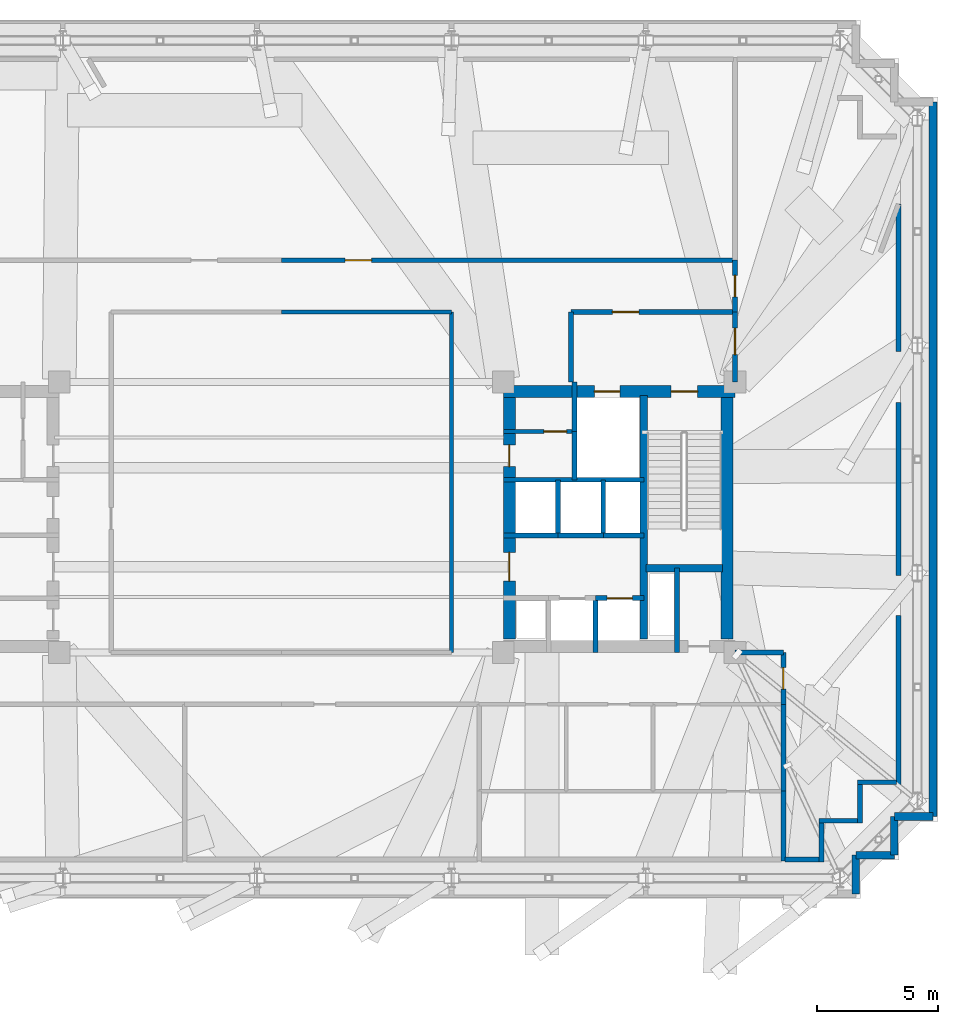
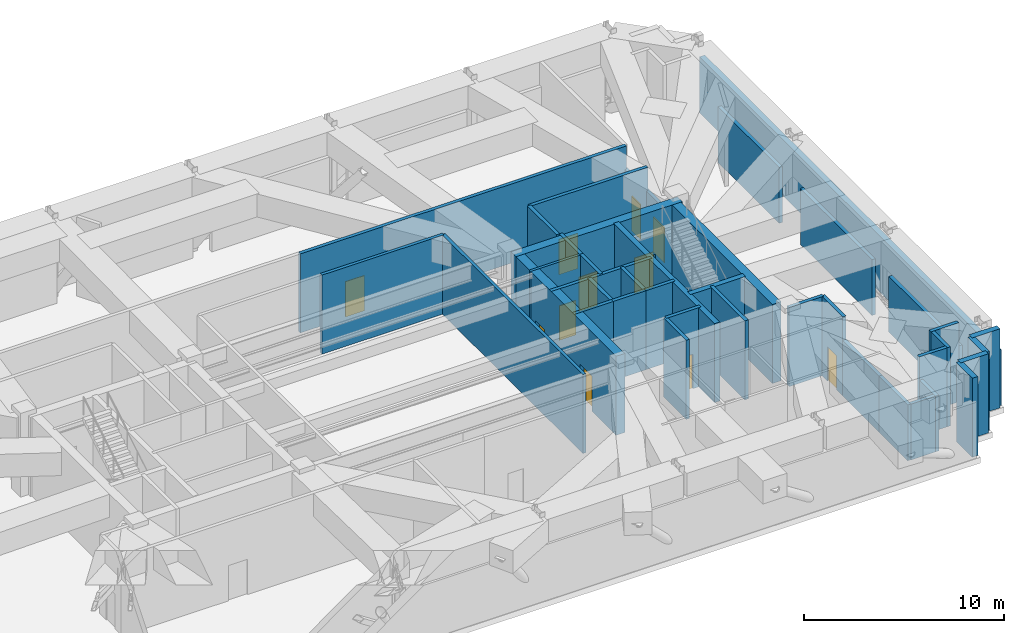
# One storey, part 15 of 18: 41 walls, 11 doors, 11 openings.
"""IFC4 building model written with IfcOpenShell, lengths in metres."""

import ifcopenshell
import ifcopenshell.guid

model = None  # the IFC model being written
_history = None  # IfcOwnerHistory: only IFC2X3 demands one
_inside = {}  # id of a spatial element -> (the spatial element, [elements in it])
_under = {}  # id of a project, library or spatial element -> (it, [spatial elements below it])
_declared = {}  # id of a project -> (the project, [libraries it declares])
_typed = {}  # id of a type object -> (the type object, [elements of that type])
_made_of = {}  # id of a material, layer set ... -> (it, [elements and type objects made of it])


def new_model(schema):
    """Start an empty IFC model of exactly this schema.

    Asked for "IFC4X3", IfcOpenShell would pick the latest addendum, in which some entities
    have other attributes; the version numbers below select the first issue.
    IFC2X3 requires an IfcOwnerHistory on every rooted entity: one is made here for all.
    """
    global model, _history
    if schema == "IFC4X3":
        model = ifcopenshell.file(schema_version=(4, 3, 0, 0))
    else:
        model = ifcopenshell.file(schema=schema)
    _inside.clear()
    _under.clear()
    _declared.clear()
    _typed.clear()
    _made_of.clear()
    _history = None
    if model.schema == "IFC2X3":
        org = make("IfcOrganization", Name="unknown")
        user = make(
            "IfcPersonAndOrganization",
            ThePerson=make("IfcPerson", FamilyName="unknown"),
            TheOrganization=org,
        )
        app = make(
            "IfcApplication",
            ApplicationDeveloper=org,
            Version="unknown",
            ApplicationFullName="unknown",
            ApplicationIdentifier="unknown",
        )
        _history = make(
            "IfcOwnerHistory",
            OwningUser=user,
            OwningApplication=app,
            ChangeAction="ADDED",
            CreationDate=0,
        )
    return model


def make(cls, **values):
    """One entity of the class cls with the attributes given. An attribute that is None is left unset."""
    return model.create_entity(
        cls, **{name: value for name, value in values.items() if value is not None}
    )


def rooted(cls, **values):
    """An entity with a GlobalId (a new one), such as an element, a storey or a relation."""
    return make(cls, GlobalId=ifcopenshell.guid.new(), OwnerHistory=_history, **values)


def si_unit(unit_type, name, prefix=None):
    """IfcSIUnit, for example si_unit("LENGTHUNIT", "METRE", prefix="MILLI")."""
    return make("IfcSIUnit", UnitType=unit_type, Prefix=prefix, Name=name)


def assignment(units):
    """IfcUnitAssignment: the units of a project."""
    return None if units is None else make("IfcUnitAssignment", Units=units)


def point(xyz):
    """IfcCartesianPoint."""
    return None if xyz is None else make("IfcCartesianPoint", Coordinates=xyz)


def direction(xyz):
    """IfcDirection."""
    return None if xyz is None else make("IfcDirection", DirectionRatios=xyz)


def frame(location, z_axis=None, x_axis=None):
    """IfcAxis2Placement3D, a coordinate frame: its origin and axes. An axis left out is left unset."""
    return make(
        "IfcAxis2Placement3D",
        Location=point(location),
        Axis=direction(z_axis),
        RefDirection=direction(x_axis),
    )


def frame_2d(location, x_axis=None):
    """IfcAxis2Placement2D, a coordinate frame in the plane: its origin and x axis."""
    return make(
        "IfcAxis2Placement2D", Location=point(location), RefDirection=direction(x_axis)
    )


def origin():
    """The frame at (0, 0, 0) with its axes left unset."""
    return frame((0.0, 0.0, 0.0))


def place(relative_to, where):
    """IfcLocalPlacement: puts the frame where relative to a parent placement (None: the world)."""
    return make(
        "IfcLocalPlacement", PlacementRelTo=relative_to, RelativePlacement=where
    )


def context(
    kind, dimensions, precision=None, world=None, true_north=None, identifier=None
):
    """IfcGeometricRepresentationContext, for example the 3D "Model" context."""
    return make(
        "IfcGeometricRepresentationContext",
        ContextIdentifier=identifier,
        ContextType=kind,
        CoordinateSpaceDimension=dimensions,
        Precision=precision,
        WorldCoordinateSystem=world,
        TrueNorth=true_north,
    )


def subcontext(parent, identifier, kind, view, scale=None):
    """IfcGeometricRepresentationSubContext, for example "Body" below "Model"."""
    return make(
        "IfcGeometricRepresentationSubContext",
        ContextIdentifier=identifier,
        ContextType=kind,
        ParentContext=parent,
        TargetScale=scale,
        TargetView=view,
    )


def project(units=None, contexts=None):
    """IfcProject with its units and contexts."""
    return rooted(
        "IfcProject",
        Name="project",
        RepresentationContexts=contexts,
        UnitsInContext=assignment(units),
    )


def spatial(cls, under=None, at=None, **own):
    """A site, building, storey or space (cls), placed at a placement, below another one or the project."""
    s = rooted(cls, ObjectPlacement=at, **own)
    if under is not None:
        _under.setdefault(under.id(), (under, []))[1].append(s)
    return s


def profile(cls, at=None, kind="AREA", **sizes):
    """A parametric profile (cls). Its sizes go by their IFC names, for example OverallWidth=200.0."""
    return make(cls, ProfileType=kind, Position=at, **sizes)


def rectangle(**sizes):
    """IfcRectangleProfileDef."""
    return profile("IfcRectangleProfileDef", **sizes)


def extrude(swept, where, along, depth):
    """IfcExtrudedAreaSolid: the profile swept, set in the frame where, extruded along a direction by depth."""
    return make(
        "IfcExtrudedAreaSolid",
        SweptArea=swept,
        Position=where,
        ExtrudedDirection=direction(along),
        Depth=depth,
    )


def shape(context_of_items, identifier, shape_type, items):
    """IfcShapeRepresentation: the items that make up one representation, for example the "Body"."""
    return make(
        "IfcShapeRepresentation",
        ContextOfItems=context_of_items,
        RepresentationIdentifier=identifier,
        RepresentationType=shape_type,
        Items=items,
    )


def material(Name=None, Category=None):
    """IfcMaterial."""
    return make("IfcMaterial", Name=Name, Category=Category)


def layer(
    of_material, thickness, ventilated=None, Name=None, Category=None, Priority=None
):
    """IfcMaterialLayer: one layer of a wall or slab, of a material (None: an air gap)."""
    return make(
        "IfcMaterialLayer",
        Material=of_material,
        LayerThickness=thickness,
        IsVentilated=ventilated,
        Name=Name,
        Category=Category,
        Priority=Priority,
    )


def layer_set(layers, Name=None):
    """IfcMaterialLayerSet."""
    return make("IfcMaterialLayerSet", MaterialLayers=layers, LayerSetName=Name)


def made_of(thing, what):
    """Note that an element or type object is made of a material, layer set ...; save() writes the relation."""
    if what is not None:
        _made_of.setdefault(what.id(), (what, []))[1].append(thing)
    return thing


def type_object(cls, material=None, **own):
    """A type object (cls), such as IfcWallType, which elements share."""
    return made_of(rooted(cls, **own), material)


def element(
    cls,
    number,
    at=None,
    inside=None,
    cuts=None,
    type_object=None,
    material=None,
    context=None,
    identifier="Body",
    shape_type=None,
    held_by="IfcProductDefinitionShape",
    body=None,
    shapes=None,
    **own,
):
    """One element of the class cls, such as IfcWall. Its Tag is "e" and its number.

    at: its placement. inside: the storey or other place that contains it. cuts: it is an
    opening in that element (IfcRelVoidsElement). A single representation is given by context,
    identifier, shape_type and body (its items); several are given by shapes. held_by: the class
    of the entity that holds the representations. save() writes the other relations.
    """
    e = rooted(cls, Tag="e%d" % number, ObjectPlacement=at, **own)
    if body is not None:
        shapes = [shape(context, identifier, shape_type, body)]
    if shapes is not None:
        e.Representation = make(held_by, Representations=shapes)
    if inside is not None:
        _inside.setdefault(inside.id(), (inside, []))[1].append(e)
    if cuts is not None:
        rooted(
            "IfcRelVoidsElement", RelatingBuildingElement=cuts, RelatedOpeningElement=e
        )
    if type_object is not None:
        _typed.setdefault(type_object.id(), (type_object, []))[1].append(e)
    return made_of(e, material)


def fill(opening, filler):
    """IfcRelFillsElement: the door or window that sits in an opening."""
    return rooted(
        "IfcRelFillsElement",
        RelatingOpeningElement=opening,
        RelatedBuildingElement=filler,
    )


def aggregate(whole, parts):
    """IfcRelAggregates: a whole, such as a stair, and the parts it consists of."""
    return rooted("IfcRelAggregates", RelatingObject=whole, RelatedObjects=parts)


def save(model, path):
    """Write the relations noted so far, then the file.

    IfcRelAggregates (storeys below a building ...), IfcRelContainedInSpatialStructure (elements
    in a storey), IfcRelDefinesByType, IfcRelAssociatesMaterial and IfcRelDeclares: one each for
    every whole, place, type object, material and project.
    """
    for whole, parts in _under.values():
        aggregate(whole, parts)
    for where, things in _inside.values():
        rooted(
            "IfcRelContainedInSpatialStructure",
            RelatedElements=things,
            RelatingStructure=where,
        )
    for kind, things in _typed.values():
        rooted("IfcRelDefinesByType", RelatedObjects=things, RelatingType=kind)
    for what, things in _made_of.values():
        rooted("IfcRelAssociatesMaterial", RelatedObjects=things, RelatingMaterial=what)
    for by, libraries in _declared.values():
        rooted("IfcRelDeclares", RelatingContext=by, RelatedDefinitions=libraries)
    model.write(path)


model = new_model("IFC4")

# Units and contexts
model_context = context("Model", 3, precision=1e-05, world=origin(), true_north=direction((0.0, 1.0)))
body_context = subcontext(model_context, "Body", "Model", "MODEL_VIEW")
ifc_project = project(units=[si_unit("LENGTHUNIT", "METRE"), si_unit("AREAUNIT", "SQUARE_METRE"), si_unit("VOLUMEUNIT", "CUBIC_METRE"), si_unit("PLANEANGLEUNIT", "RADIAN"), si_unit("MASSUNIT", "GRAM", prefix="KILO")], contexts=[model_context])

# Site, building, storey
site_placement = place(None, origin())
site = spatial("IfcSite", under=ifc_project, at=site_placement, CompositionType="ELEMENT")
building_placement = place(site_placement, origin())
building = spatial("IfcBuilding", under=site, at=building_placement, Name="Qobustan Lattice House", CompositionType="ELEMENT")
storey_placement = place(building_placement, frame((0.0, 0.0, 174.550048828125)))
storey = spatial("IfcBuildingStorey", under=building, at=storey_placement, Name="L49", CompositionType="ELEMENT", Elevation=174.550048828125)

# Wall, openings, doors
ifc_material_1 = material(Name="Concrete C50/60", Category="concrete")
ifc_layer_1 = layer(ifc_material_1, 0.5)
ifc_layer_set_1 = layer_set([ifc_layer_1], Name="Concrete C50/60")
wall_type_1 = type_object("IfcWallType", Name="WAL-CORE-500", PredefinedType="SHEAR", material=ifc_layer_set_1)
wall_1_placement = place(storey_placement, frame((9.199951171875, 5.2099609375, 0.0), z_axis=(0.0, 0.0, 1.0), x_axis=(1.0, 0.0, 0.0)))
wall_1 = element("IfcWall", 1, at=wall_1_placement, inside=storey, type_object=wall_type_1, Name="L49 split-core shear wall CE-N", PredefinedType="SHEAR", context=body_context, shape_type="SweptSolid", body=[
    extrude(rectangle(XDim=9.60009765625, YDim=0.5, at=frame_2d((4.800048828125, 0.0))), origin(), (0.0, 0.0, 1.0), 4.820068359375),
])
opening_1_placement = place(wall_1_placement, frame((6.949951171875, 0.0, 0.0)))
opening_1 = element("IfcOpeningElement", 2, at=opening_1_placement, cuts=wall_1, Name="Opening SD-01", PredefinedType="OPENING", context=body_context, shape_type="SweptSolid", body=[
    extrude(rectangle(XDim=1.10009765625, YDim=2.14990234375, at=frame_2d((0.550048828125, 1.074951171875))), frame((0.0, 0.260009765625, 0.0), z_axis=(0.0, -1.0, 0.0), x_axis=(1.0, 0.0, 0.0)), (0.0, 0.0, 1.0), 0.52001953125),
])
opening_2_placement = place(wall_1_placement, frame((3.77490234375, 0.0, 0.0)))
opening_2 = element("IfcOpeningElement", 3, at=opening_2_placement, cuts=wall_1, Name="Opening LD-01", PredefinedType="OPENING", context=body_context, shape_type="SweptSolid", body=[
    extrude(rectangle(XDim=1.050048828125, YDim=2.10009765625, at=frame_2d((0.52490234375, 1.050048828125))), frame((0.0, 0.260009765625, 0.0), z_axis=(0.0, -1.0, 0.0), x_axis=(1.0, 0.0, 0.0)), (0.0, 0.0, 1.0), 0.52001953125),
])
ifc_material_2 = material(Name="Persian walnut timber and steel frame door", Category="steel")
door_type_1 = type_object("IfcDoorType", Name="DOR-LIFT-LD-1050x2100", OperationType="NOTDEFINED", PredefinedType="DOOR", material=ifc_material_2)
door_1_placement = place(opening_2_placement, origin())
door_1 = element("IfcDoor", 4, at=door_1_placement, inside=storey, type_object=door_type_1, Name="L49 firefighting lift FF-E landing door", OperationType="DOUBLE_DOOR_SLIDING", OverallHeight=2.10009765625, OverallWidth=1.050048828125, PredefinedType="DOOR", context=body_context, shape_type="SweptSolid", body=[
    extrude(rectangle(XDim=1.050048828125, YDim=2.10009765625, at=frame_2d((0.52490234375, 1.050048828125))), frame((0.0, 0.02490234375, 0.0), z_axis=(0.0, -1.0, 0.0), x_axis=(1.0, 0.0, 0.0)), (0.0, 0.0, 1.0), 0.050048828125),
])
fill(opening_2, door_1)
ifc_material_3 = material(Name="Persian walnut timber and steel frame door", Category="steel")
door_type_2 = type_object("IfcDoorType", Name="DOR-STAIR-FD-1100x2150", OperationType="NOTDEFINED", PredefinedType="DOOR", material=ifc_material_3)
door_2_placement = place(opening_1_placement, origin())
door_2 = element("IfcDoor", 5, at=door_2_placement, inside=storey, type_object=door_type_2, Name="L49 exit stair ST-E1 fire door", OperationType="SINGLE_SWING_LEFT", OverallHeight=2.14990234375, OverallWidth=1.10009765625, PredefinedType="DOOR", context=body_context, shape_type="SweptSolid", body=[
    extrude(rectangle(XDim=1.10009765625, YDim=2.14990234375, at=frame_2d((0.550048828125, 1.074951171875))), frame((0.0, 0.02490234375, 0.0), z_axis=(0.0, -1.0, 0.0), x_axis=(1.0, 0.0, 0.0)), (0.0, 0.0, 1.0), 0.050048828125),
])
fill(opening_1, door_2)

wall_2_placement = place(storey_placement, frame((9.449951171875, -5.050048828125, 0.0), z_axis=(0.0, 0.0, 1.0), x_axis=(0.0, 1.0, 0.0)))
wall_2 = element("IfcWall", 6, at=wall_2_placement, inside=storey, type_object=wall_type_1, Name="L49 split-core shear wall CE-W", PredefinedType="SHEAR", context=body_context, shape_type="SweptSolid", body=[
    extrude(rectangle(XDim=10.10009765625, YDim=0.5, at=frame_2d((5.050048828125, 0.0))), origin(), (0.0, 0.0, 1.0), 4.820068359375),
])
opening_3_placement = place(wall_2_placement, frame((7.14990234375, 0.0, 0.0)))
opening_3 = element("IfcOpeningElement", 7, at=opening_3_placement, cuts=wall_2, Name="Opening RD-01", PredefinedType="OPENING", context=body_context, shape_type="SweptSolid", body=[
    extrude(rectangle(XDim=0.89990234375, YDim=2.10009765625, at=frame_2d((0.449951171875, 1.050048828125))), frame((0.0, 0.260009765625, 0.0), z_axis=(0.0, -1.0, 0.0), x_axis=(1.0, 0.0, 0.0)), (0.0, 0.0, 1.0), 0.52001953125),
])
opening_4_placement = place(wall_2_placement, frame((2.39990234375, 0.0, 0.0)))
opening_4 = element("IfcOpeningElement", 8, at=opening_4_placement, cuts=wall_2, Name="Opening FD-01", PredefinedType="OPENING", context=body_context, shape_type="SweptSolid", body=[
    extrude(rectangle(XDim=1.199951171875, YDim=2.14990234375, at=frame_2d((0.60009765625, 1.074951171875))), frame((0.0, 0.260009765625, 0.0), z_axis=(0.0, -1.0, 0.0), x_axis=(1.0, 0.0, 0.0)), (0.0, 0.0, 1.0), 0.52001953125),
])
ifc_material_4 = material(Name="Persian walnut timber and steel frame door", Category="steel")
door_type_3 = type_object("IfcDoorType", Name="DOR-LOBBY-FD-1200x2150", OperationType="NOTDEFINED", PredefinedType="DOOR", material=ifc_material_4)
door_3_placement = place(opening_4_placement, origin())
door_3 = element("IfcDoor", 9, at=door_3_placement, inside=storey, type_object=door_type_3, Name="L49 East passenger lift lobby fire door", OperationType="SINGLE_SWING_LEFT", OverallHeight=2.14990234375, OverallWidth=1.199951171875, PredefinedType="DOOR", context=body_context, shape_type="SweptSolid", body=[
    extrude(rectangle(XDim=1.199951171875, YDim=2.14990234375, at=frame_2d((0.60009765625, 1.074951171875))), frame((0.0, 0.02490234375, 0.0), z_axis=(0.0, -1.0, 0.0), x_axis=(1.0, 0.0, 0.0)), (0.0, 0.0, 1.0), 0.050048828125),
])
fill(opening_4, door_3)
ifc_material_5 = material(Name="Persian walnut timber and steel frame door", Category="steel")
door_type_4 = type_object("IfcDoorType", Name="DOR-RISER-FD-900x2100", OperationType="NOTDEFINED", PredefinedType="DOOR", material=ifc_material_5)
door_4_placement = place(opening_3_placement, origin())
door_4 = element("IfcDoor", 10, at=door_4_placement, inside=storey, type_object=door_type_4, Name="L49 Housekeeping utility foyer fire door", OperationType="SINGLE_SWING_RIGHT", OverallHeight=2.10009765625, OverallWidth=0.89990234375, PredefinedType="DOOR", context=body_context, shape_type="SweptSolid", body=[
    extrude(rectangle(XDim=0.89990234375, YDim=2.10009765625, at=frame_2d((0.449951171875, 1.050048828125))), frame((0.0, 0.02490234375, 0.0), z_axis=(0.0, -1.0, 0.0), x_axis=(1.0, 0.0, 0.0)), (0.0, 0.0, 1.0), 0.050048828125),
])
fill(opening_3, door_4)

# Walls
wall_3_placement = place(storey_placement, frame((18.4599609375, -5.050048828125, 0.0), z_axis=(0.0, 0.0, 1.0), x_axis=(0.0, 1.0, 0.0)))
element("IfcWall", 11, at=wall_3_placement, inside=storey, type_object=wall_type_1, Name="L49 split-core shear wall CE-E", PredefinedType="SHEAR", context=body_context, shape_type="SweptSolid", body=[
    extrude(rectangle(XDim=10.10009765625, YDim=0.5, at=frame_2d((5.050048828125, 0.0))), origin(), (0.0, 0.0, 1.0), 4.820068359375),
])
ifc_material_6 = material(Name="Concrete C50/60", Category="concrete")
ifc_layer_2 = layer(ifc_material_6, 0.280029296875)
ifc_layer_set_2 = layer_set([ifc_layer_2], Name="Concrete C50/60")
wall_type_2 = type_object("IfcWallType", Name="WAL-CORE-SPINE-280", PredefinedType="SHEAR", material=ifc_layer_set_2)
wall_4_placement = place(storey_placement, frame((15.02001953125, -5.050048828125, 0.0), z_axis=(0.0, 0.0, 1.0), x_axis=(0.0, 1.0, 0.0)))
element("IfcWall", 12, at=wall_4_placement, inside=storey, type_object=wall_type_2, Name="L49 split-core shear wall CE-M", PredefinedType="SHEAR", context=body_context, shape_type="SweptSolid", body=[
    extrude(rectangle(XDim=10.10009765625, YDim=0.300048828125, at=frame_2d((5.050048828125, 0.0))), origin(), (0.0, 0.0, 1.0), 4.820068359375),
])
wall_5_placement = place(storey_placement, frame((15.10009765625, -2.110107421875, 0.0), z_axis=(0.0, 0.0, 1.0), x_axis=(1.0, 0.0, 0.0)))
element("IfcWall", 13, at=wall_5_placement, inside=storey, type_object=wall_type_2, Name="L49 split-core shear wall CE-ST", PredefinedType="SHEAR", context=body_context, shape_type="SweptSolid", body=[
    extrude(rectangle(XDim=3.179931640625, YDim=0.300048828125, at=frame_2d((1.58984375, 0.0))), origin(), (0.0, 0.0, 1.0), 4.820068359375),
])
ifc_material_7 = material(Name="Precast concrete C40/50", Category="concrete")
ifc_layer_3 = layer(ifc_material_7, 0.320068359375)
ifc_layer_set_3 = layer_set([ifc_layer_3], Name="Precast concrete C40/50")
wall_type_3 = type_object("IfcWallType", Name="WAL-EXT-STONE-320", PredefinedType="SOLIDWALL", material=ifc_layer_set_3)
wall_6_placement = place(storey_placement, frame((27.0, 17.199951171875, 0.0), z_axis=(0.0, 0.0, 1.0), x_axis=(0.0, -1.0, 0.0)))
element("IfcWall", 14, at=wall_6_placement, inside=storey, type_object=wall_type_3, Name="L49 exterior limestone-clad wall 15", PredefinedType="SOLIDWALL", context=body_context, shape_type="SweptSolid", body=[
    extrude(rectangle(XDim=29.599853515625, YDim=0.320068359375, at=frame_2d((14.7998046875, 0.0))), origin(), (0.0, 0.0, 1.0), 3.405029296875),
])
for number, where, z_axis, x_axis, name in (
    (15, (27.0, -12.39990234375, 0.0), (0.0, 0.0, 1.0), (-1.0, 0.0, 0.0), "L49 exterior limestone-clad wall 16"),
    (16, (25.39990234375, -12.39990234375, 0.0), (0.0, 0.0, 1.0), (0.0, -1.0, 0.0), "L49 exterior limestone-clad wall 17"),
):
    element("IfcWall", number, at=place(storey_placement, frame(where, z_axis=z_axis, x_axis=x_axis)), inside=storey, type_object=wall_type_3, Name=name, PredefinedType="SOLIDWALL", context=body_context, shape_type="SweptSolid", body=[
        extrude(rectangle(XDim=1.60009765625, YDim=0.320068359375, at=frame_2d((0.800048828125, 0.0))), origin(), (0.0, 0.0, 1.0), 4.820068359375),
    ])
wall_7_placement = place(storey_placement, frame((25.39990234375, -14.0, 0.0), z_axis=(0.0, 0.0, 1.0), x_axis=(-1.0, 0.0, 0.0)))
element("IfcWall", 17, at=wall_7_placement, inside=storey, type_object=wall_type_3, Name="L49 exterior limestone-clad wall 18", PredefinedType="SOLIDWALL", context=body_context, shape_type="SweptSolid", body=[
    extrude(rectangle(XDim=1.599853515625, YDim=0.320068359375, at=frame_2d((0.7998046875, 0.0))), origin(), (0.0, 0.0, 1.0), 4.820068359375),
])
wall_8_placement = place(storey_placement, frame((23.800048828125, -14.0, 0.0), z_axis=(0.0, 0.0, 1.0), x_axis=(0.0, -1.0, 0.0)))
element("IfcWall", 18, at=wall_8_placement, inside=storey, type_object=wall_type_3, Name="L49 exterior limestone-clad wall 19", PredefinedType="SOLIDWALL", context=body_context, shape_type="SweptSolid", body=[
    extrude(rectangle(XDim=1.60009765625, YDim=0.320068359375, at=frame_2d((0.800048828125, 0.0))), origin(), (0.0, 0.0, 1.0), 4.820068359375),
])
ifc_material_8 = material(Name="Gypsum fireboard acoustic partition", Category="gypsum")
ifc_layer_4 = layer(ifc_material_8, 0.179931640625)
ifc_layer_set_4 = layer_set([ifc_layer_4], Name="Gypsum fireboard acoustic partition")
wall_type_4 = type_object("IfcWallType", Name="WAL-FIRE-180", PredefinedType="PARTITIONING", material=ifc_layer_set_4)
wall_9_placement = place(storey_placement, frame((7.050048828125, 8.5, 0.0), z_axis=(0.0, 0.0, 1.0), x_axis=(-1.0, 0.0, 0.0)))
element("IfcWall", 19, at=wall_9_placement, inside=storey, type_object=wall_type_4, Name="L49 interior partition 39", PredefinedType="PARTITIONING", context=body_context, shape_type="SweptSolid", body=[
    extrude(rectangle(XDim=7.050048828125, YDim=0.179931640625, at=frame_2d((3.52490234375, 0.0))), origin(), (0.0, 0.0, 1.0), 4.820068359375),
])
wall_10_placement = place(storey_placement, frame((7.050048828125, -5.60009765625, 0.0), z_axis=(0.0, 0.0, 1.0), x_axis=(0.0, 1.0, 0.0)))
element("IfcWall", 20, at=wall_10_placement, inside=storey, type_object=wall_type_4, Name="L49 interior partition 53", PredefinedType="PARTITIONING", context=body_context, shape_type="SweptSolid", body=[
    extrude(rectangle(XDim=14.10009765625, YDim=0.179931640625, at=frame_2d((7.050048828125, 0.0))), origin(), (0.0, 0.0, 1.0), 4.820068359375),
])

# Wall, opening, door
ifc_material_9 = material(Name="Acoustic twin-stud gypsum partition", Category="gypsum")
ifc_layer_5 = layer(ifc_material_9, 0.14990234375)
ifc_layer_set_5 = layer_set([ifc_layer_5], Name="Acoustic twin-stud gypsum partition")
wall_type_5 = type_object("IfcWallType", Name="WAL-PART-150", PredefinedType="PARTITIONING", material=ifc_layer_set_5)
wall_11_placement = place(storey_placement, frame((12.14990234375, 3.550048828125, 0.0), z_axis=(0.0, 0.0, 1.0), x_axis=(-1.0, 0.0, 0.0)))
wall_11 = element("IfcWall", 21, at=wall_11_placement, inside=storey, type_object=wall_type_5, Name="L49 interior partition 21", PredefinedType="PARTITIONING", context=body_context, shape_type="SweptSolid", body=[
    extrude(rectangle(XDim=2.949951171875, YDim=0.14990234375, at=frame_2d((1.47509765625, 0.0))), origin(), (0.0, 0.0, 1.0), 4.820068359375),
])
opening_5_placement = place(wall_11_placement, frame((0.324951171875, 0.0, 0.0)))
opening_5 = element("IfcOpeningElement", 22, at=opening_5_placement, cuts=wall_11, Name="Opening ID-01", PredefinedType="OPENING", context=body_context, shape_type="SweptSolid", body=[
    extrude(rectangle(XDim=0.949951171875, YDim=2.10009765625, at=frame_2d((0.47509765625, 1.050048828125))), frame((0.0, 0.0849609375, 0.0), z_axis=(0.0, -1.0, 0.0), x_axis=(1.0, 0.0, 0.0)), (0.0, 0.0, 1.0), 0.169921875),
])
ifc_material_10 = material(Name="Persian walnut timber and steel frame door", Category="steel")
door_type_5 = type_object("IfcDoorType", Name="DOR-ROOM-950x2100", OperationType="NOTDEFINED", PredefinedType="DOOR", material=ifc_material_10)
door_5_placement = place(opening_5_placement, origin())
door_5 = element("IfcDoor", 23, at=door_5_placement, inside=storey, type_object=door_type_5, Name="L49 Housekeeping utility foyer to Cleaner cupboard door", OperationType="SINGLE_SWING_LEFT", OverallHeight=2.10009765625, OverallWidth=0.949951171875, PredefinedType="DOOR", context=body_context, shape_type="SweptSolid", body=[
    extrude(rectangle(XDim=0.949951171875, YDim=2.10009765625, at=frame_2d((0.47509765625, 1.050048828125))), frame((0.0, 0.02490234375, 0.0), z_axis=(0.0, -1.0, 0.0), x_axis=(1.0, 0.0, 0.0)), (0.0, 0.0, 1.0), 0.050048828125),
])
fill(opening_5, door_5)

# Walls
ifc_material_11 = material(Name="Two-hour gypsum fireboard acoustic partition", Category="gypsum")
ifc_layer_6 = layer(ifc_material_11, 0.199951171875)
ifc_layer_set_6 = layer_set([ifc_layer_6], Name="Two-hour gypsum fireboard acoustic partition")
wall_type_6 = type_object("IfcWallType", Name="WAL-PROT-200", PredefinedType="PARTITIONING", material=ifc_layer_set_6)
wall_12_placement = place(storey_placement, frame((25.574951171875, 12.973388671875, 0.0), z_axis=(0.0, 0.0, 1.0), x_axis=(0.0, -1.0, 0.0)))
element("IfcWall", 24, at=wall_12_placement, inside=storey, type_object=wall_type_6, Name="L49 perimeter belt-truss plenum enclosure wall 36", PredefinedType="PARTITIONING", context=body_context, shape_type="SweptSolid", body=[
    extrude(rectangle(XDim=6.115478515625, YDim=0.199951171875, at=frame_2d((3.0576171875, 0.0))), origin(), (0.0, 0.0, 1.0), 3.405029296875),
])
wall_13_placement = place(storey_placement, frame((25.574951171875, 4.7578125, 0.0), z_axis=(0.0, 0.0, 1.0), x_axis=(0.0, -1.0, 0.0)))
element("IfcWall", 25, at=wall_13_placement, inside=storey, type_object=wall_type_6, Name="L49 perimeter belt-truss plenum enclosure wall 37", PredefinedType="PARTITIONING", context=body_context, shape_type="SweptSolid", body=[
    extrude(rectangle(XDim=7.1669921875, YDim=0.199951171875, at=frame_2d((3.58349609375, 0.0))), origin(), (0.0, 0.0, 1.0), 3.405029296875),
])
wall_14_placement = place(storey_placement, frame((25.574951171875, -4.076416015625, 0.0), z_axis=(0.0, 0.0, 1.0), x_axis=(0.0, -1.0, 0.0)))
element("IfcWall", 26, at=wall_14_placement, inside=storey, type_object=wall_type_6, Name="L49 perimeter belt-truss plenum enclosure wall 38", PredefinedType="PARTITIONING", context=body_context, shape_type="SweptSolid", body=[
    extrude(rectangle(XDim=6.99853515625, YDim=0.199951171875, at=frame_2d((3.499267578125, 0.0))), origin(), (0.0, 0.0, 1.0), 3.405029296875),
])
for number, where, z_axis, x_axis, name in (
    (27, (25.487060546875, -10.97509765625, 0.0), (0.0, 0.0, 1.0), (-1.0, 0.0, 0.0), "L49 perimeter belt-truss plenum enclosure wall 39"),
    (28, (23.97509765625, -11.06298828125, 0.0), (0.0, 0.0, 1.0), (0.0, -1.0, 0.0), "L49 perimeter belt-truss plenum enclosure wall 40"),
    (29, (23.886962890625, -12.574951171875, 0.0), (0.0, 0.0, 1.0), (-1.0, 0.0, 0.0), "L49 perimeter belt-truss plenum enclosure wall 41"),
):
    element("IfcWall", number, at=place(storey_placement, frame(where, z_axis=z_axis, x_axis=x_axis)), inside=storey, type_object=wall_type_6, Name=name, PredefinedType="PARTITIONING", context=body_context, shape_type="SweptSolid", body=[
        extrude(rectangle(XDim=1.612060546875, YDim=0.199951171875, at=frame_2d((0.80615234375, 0.0))), origin(), (0.0, 0.0, 1.0), 4.820068359375),
    ])
wall_15_placement = place(storey_placement, frame((22.375, -12.6630859375, 0.0), z_axis=(0.0, 0.0, 1.0), x_axis=(0.0, -1.0, 0.0)))
element("IfcWall", 30, at=wall_15_placement, inside=storey, type_object=wall_type_6, Name="L49 perimeter belt-truss plenum enclosure wall 42", PredefinedType="PARTITIONING", context=body_context, shape_type="SweptSolid", body=[
    extrude(rectangle(XDim=1.61181640625, YDim=0.199951171875, at=frame_2d((0.805908203125, 0.0))), origin(), (0.0, 0.0, 1.0), 3.405029296875),
])
wall_16_placement = place(storey_placement, frame((22.287109375, -14.175048828125, 0.0), z_axis=(0.0, 0.0, 1.0), x_axis=(-1.0, 0.0, 0.0)))
element("IfcWall", 31, at=wall_16_placement, inside=storey, type_object=wall_type_6, Name="L49 perimeter belt-truss plenum enclosure wall 43", PredefinedType="PARTITIONING", context=body_context, shape_type="SweptSolid", body=[
    extrude(rectangle(XDim=1.412109375, YDim=0.199951171875, at=frame_2d((0.7060546875, 0.0))), origin(), (0.0, 0.0, 1.0), 3.405029296875),
])

# Wall, opening, door
wall_17_placement = place(storey_placement, frame((18.800048828125, 8.5, 0.0), z_axis=(0.0, 0.0, 1.0), x_axis=(-1.0, 0.0, 0.0)))
wall_17 = element("IfcWall", 32, at=wall_17_placement, inside=storey, type_object=wall_type_6, Name="L49 interior partition 18", PredefinedType="PARTITIONING", context=body_context, shape_type="SweptSolid", body=[
    extrude(rectangle(XDim=6.800048828125, YDim=0.199951171875, at=frame_2d((3.39990234375, 0.0))), origin(), (0.0, 0.0, 1.0), 4.820068359375),
])
opening_6_placement = place(wall_17_placement, frame((3.985107421875, 0.0, 0.0)))
opening_6 = element("IfcOpeningElement", 33, at=opening_6_placement, cuts=wall_17, Name="Opening SD-01", PredefinedType="OPENING", context=body_context, shape_type="SweptSolid", body=[
    extrude(rectangle(XDim=1.10009765625, YDim=2.14990234375, at=frame_2d((0.550048828125, 1.074951171875))), frame((0.0, 0.10986328125, 0.0), z_axis=(0.0, -1.0, 0.0), x_axis=(1.0, 0.0, 0.0)), (0.0, 0.0, 1.0), 0.219970703125),
])
door_6_placement = place(opening_6_placement, origin())
door_6 = element("IfcDoor", 34, at=door_6_placement, inside=storey, type_object=door_type_2, Name="L49 East firefighting lift lobby to North-east mechanical plant corridor door", OperationType="SINGLE_SWING_LEFT", OverallHeight=2.14990234375, OverallWidth=1.10009765625, PredefinedType="DOOR", context=body_context, shape_type="SweptSolid", body=[
    extrude(rectangle(XDim=1.10009765625, YDim=2.14990234375, at=frame_2d((0.550048828125, 1.074951171875))), frame((0.0, 0.02490234375, 0.0), z_axis=(0.0, -1.0, 0.0), x_axis=(1.0, 0.0, 0.0)), (0.0, 0.0, 1.0), 0.050048828125),
])
fill(opening_6, door_6)

# Wall
wall_18_placement = place(storey_placement, frame((12.0, 8.5, 0.0), z_axis=(0.0, 0.0, 1.0), x_axis=(0.0, -1.0, 0.0)))
element("IfcWall", 35, at=wall_18_placement, inside=storey, type_object=wall_type_6, Name="L49 interior partition 19", PredefinedType="PARTITIONING", context=body_context, shape_type="SweptSolid", body=[
    extrude(rectangle(XDim=2.89990234375, YDim=0.199951171875, at=frame_2d((1.449951171875, 0.0))), origin(), (0.0, 0.0, 1.0), 4.820068359375),
])

# Wall, opening, door
wall_19_placement = place(storey_placement, frame((18.800048828125, 5.60009765625, 0.0), z_axis=(0.0, 0.0, 1.0), x_axis=(0.0, 1.0, 0.0)))
wall_19 = element("IfcWall", 36, at=wall_19_placement, inside=storey, type_object=wall_type_6, Name="L49 interior partition 20", PredefinedType="PARTITIONING", context=body_context, shape_type="SweptSolid", body=[
    extrude(rectangle(XDim=2.89990234375, YDim=0.199951171875, at=frame_2d((1.449951171875, 0.0))), origin(), (0.0, 0.0, 1.0), 3.405029296875),
])
opening_7_placement = place(wall_19_placement, frame((1.139892578125, 0.0, 0.0)))
opening_7 = element("IfcOpeningElement", 37, at=opening_7_placement, cuts=wall_19, Name="Opening SD-01", PredefinedType="OPENING", context=body_context, shape_type="SweptSolid", body=[
    extrude(rectangle(XDim=1.10009765625, YDim=2.14990234375, at=frame_2d((0.550048828125, 1.074951171875))), frame((0.0, 0.10986328125, 0.0), z_axis=(0.0, -1.0, 0.0), x_axis=(1.0, 0.0, 0.0)), (0.0, 0.0, 1.0), 0.219970703125),
])
door_7_placement = place(opening_7_placement, origin())
door_7 = element("IfcDoor", 38, at=door_7_placement, inside=storey, type_object=door_type_2, Name="L49 East firefighting lift lobby to East protected refuge area door", OperationType="SINGLE_SWING_RIGHT", OverallHeight=2.14990234375, OverallWidth=1.10009765625, PredefinedType="DOOR", context=body_context, shape_type="SweptSolid", body=[
    extrude(rectangle(XDim=1.10009765625, YDim=2.14990234375, at=frame_2d((0.550048828125, 1.074951171875))), frame((0.0, 0.02490234375, 0.0), z_axis=(0.0, -1.0, 0.0), x_axis=(1.0, 0.0, 0.0)), (0.0, 0.0, 1.0), 0.050048828125),
])
fill(opening_7, door_7)

wall_20_placement = place(storey_placement, frame((18.800048828125, 10.64990234375, 0.0), z_axis=(0.0, 0.0, 1.0), x_axis=(0.0, -1.0, 0.0)))
wall_20 = element("IfcWall", 39, at=wall_20_placement, inside=storey, type_object=wall_type_6, Name="L49 interior partition 37", PredefinedType="PARTITIONING", context=body_context, shape_type="SweptSolid", body=[
    extrude(rectangle(XDim=2.14990234375, YDim=0.199951171875, at=frame_2d((1.074951171875, 0.0))), origin(), (0.0, 0.0, 1.0), 3.405029296875),
])
opening_8_placement = place(wall_20_placement, frame((0.625, 0.0, 0.0)))
opening_8 = element("IfcOpeningElement", 40, at=opening_8_placement, cuts=wall_20, Name="Opening RD-01", PredefinedType="OPENING", context=body_context, shape_type="SweptSolid", body=[
    extrude(rectangle(XDim=0.89990234375, YDim=2.10009765625, at=frame_2d((0.449951171875, 1.050048828125))), frame((0.0, 0.10986328125, 0.0), z_axis=(0.0, -1.0, 0.0), x_axis=(1.0, 0.0, 0.0)), (0.0, 0.0, 1.0), 0.219970703125),
])
door_8_placement = place(opening_8_placement, origin())
door_8 = element("IfcDoor", 41, at=door_8_placement, inside=storey, type_object=door_type_4, Name="L49 North-east mechanical plant corridor to East protected refuge area door", OperationType="SINGLE_SWING_RIGHT", OverallHeight=2.10009765625, OverallWidth=0.89990234375, PredefinedType="DOOR", context=body_context, shape_type="SweptSolid", body=[
    extrude(rectangle(XDim=0.89990234375, YDim=2.10009765625, at=frame_2d((0.449951171875, 1.050048828125))), frame((0.0, 0.02490234375, 0.0), z_axis=(0.0, -1.0, 0.0), x_axis=(1.0, 0.0, 0.0)), (0.0, 0.0, 1.0), 0.050048828125),
])
fill(opening_8, door_8)

wall_21_placement = place(storey_placement, frame((0.0, 10.64990234375, 0.0), z_axis=(0.0, 0.0, 1.0), x_axis=(1.0, 0.0, 0.0)))
wall_21 = element("IfcWall", 42, at=wall_21_placement, inside=storey, type_object=wall_type_6, Name="L49 interior partition 38", PredefinedType="PARTITIONING", context=body_context, shape_type="SweptSolid", body=[
    extrude(rectangle(XDim=18.800048828125, YDim=0.199951171875, at=frame_2d((9.39990234375, 0.0))), origin(), (0.0, 0.0, 1.0), 4.820068359375),
])
opening_9_placement = place(wall_21_placement, frame((2.6474609375, 0.0, 0.0)))
opening_9 = element("IfcOpeningElement", 43, at=opening_9_placement, cuts=wall_21, Name="Opening SD-01", PredefinedType="OPENING", context=body_context, shape_type="SweptSolid", body=[
    extrude(rectangle(XDim=1.10009765625, YDim=2.14990234375, at=frame_2d((0.550048828125, 1.074951171875))), frame((0.0, 0.10986328125, 0.0), z_axis=(0.0, -1.0, 0.0), x_axis=(1.0, 0.0, 0.0)), (0.0, 0.0, 1.0), 0.219970703125),
])
door_9_placement = place(opening_9_placement, origin())
door_9 = element("IfcDoor", 44, at=door_9_placement, inside=storey, type_object=door_type_2, Name="L49 North-east mechanical plant corridor to North protected refuge area door", OperationType="SINGLE_SWING_LEFT", OverallHeight=2.14990234375, OverallWidth=1.10009765625, PredefinedType="DOOR", context=body_context, shape_type="SweptSolid", body=[
    extrude(rectangle(XDim=1.10009765625, YDim=2.14990234375, at=frame_2d((0.550048828125, 1.074951171875))), frame((0.0, 0.02490234375, 0.0), z_axis=(0.0, -1.0, 0.0), x_axis=(1.0, 0.0, 0.0)), (0.0, 0.0, 1.0), 0.050048828125),
])
fill(opening_9, door_9)

wall_22_placement = place(storey_placement, frame((20.800048828125, -5.60009765625, 0.0), z_axis=(0.0, 0.0, 1.0), x_axis=(0.0, -1.0, 0.0)))
wall_22 = element("IfcWall", 45, at=wall_22_placement, inside=storey, type_object=wall_type_6, Name="L49 interior partition 45", PredefinedType="PARTITIONING", context=body_context, shape_type="SweptSolid", body=[
    extrude(rectangle(XDim=2.14990234375, YDim=0.199951171875, at=frame_2d((1.074951171875, 0.0))), origin(), (0.0, 0.0, 1.0), 4.820068359375),
])
opening_10_placement = place(wall_22_placement, frame((0.625, 0.0, 0.0)))
opening_10 = element("IfcOpeningElement", 46, at=opening_10_placement, cuts=wall_22, Name="Opening RD-01", PredefinedType="OPENING", context=body_context, shape_type="SweptSolid", body=[
    extrude(rectangle(XDim=0.89990234375, YDim=2.10009765625, at=frame_2d((0.449951171875, 1.050048828125))), frame((0.0, 0.10986328125, 0.0), z_axis=(0.0, -1.0, 0.0), x_axis=(1.0, 0.0, 0.0)), (0.0, 0.0, 1.0), 0.219970703125),
])
door_10_placement = place(opening_10_placement, origin())
door_10 = element("IfcDoor", 47, at=door_10_placement, inside=storey, type_object=door_type_4, Name="L49 South-east mechanical plant corridor to East protected refuge area door", OperationType="SINGLE_SWING_RIGHT", OverallHeight=2.10009765625, OverallWidth=0.89990234375, PredefinedType="DOOR", context=body_context, shape_type="SweptSolid", body=[
    extrude(rectangle(XDim=0.89990234375, YDim=2.10009765625, at=frame_2d((0.449951171875, 1.050048828125))), frame((0.0, 0.02490234375, 0.0), z_axis=(0.0, -1.0, 0.0), x_axis=(1.0, 0.0, 0.0)), (0.0, 0.0, 1.0), 0.050048828125),
])
fill(opening_10, door_10)

# Walls
wall_23_placement = place(storey_placement, frame((18.800048828125, -5.60009765625, 0.0), z_axis=(0.0, 0.0, 1.0), x_axis=(1.0, 0.0, 0.0)))
element("IfcWall", 48, at=wall_23_placement, inside=storey, type_object=wall_type_6, Name="L49 interior partition 46", PredefinedType="PARTITIONING", context=body_context, shape_type="SweptSolid", body=[
    extrude(rectangle(XDim=2.0, YDim=0.199951171875, at=frame_2d((1.0, 0.0))), origin(), (0.0, 0.0, 1.0), 4.820068359375),
])
wall_24_placement = place(storey_placement, frame((20.800048828125, -11.35009765625, 0.0), z_axis=(0.0, 0.0, 1.0), x_axis=(0.0, 1.0, 0.0)))
element("IfcWall", 49, at=wall_24_placement, inside=storey, type_object=wall_type_6, Name="L49 interior partition 57", PredefinedType="PARTITIONING", context=body_context, shape_type="SweptSolid", body=[
    extrude(rectangle(XDim=3.60009765625, YDim=0.199951171875, at=frame_2d((1.800048828125, 0.0))), origin(), (0.0, 0.0, 1.0), 3.405029296875),
])
wall_25_placement = place(storey_placement, frame((20.800048828125, -14.25, 0.0), z_axis=(0.0, 0.0, 1.0), x_axis=(0.0, 1.0, 0.0)))
element("IfcWall", 50, at=wall_25_placement, inside=storey, type_object=wall_type_6, Name="L49 interior partition 58", PredefinedType="PARTITIONING", context=body_context, shape_type="SweptSolid", body=[
    extrude(rectangle(XDim=2.89990234375, YDim=0.199951171875, at=frame_2d((1.449951171875, 0.0))), origin(), (0.0, 0.0, 1.0), 3.405029296875),
])
ifc_material_12 = material(Name="Concrete C40/50", Category="concrete")
ifc_layer_7 = layer(ifc_material_12, 0.199951171875)
ifc_layer_set_7 = layer_set([ifc_layer_7], Name="Concrete C40/50")
wall_type_7 = type_object("IfcWallType", Name="WAL-SHAFT-200", PredefinedType="PARTITIONING", material=ifc_layer_set_7)
wall_26_placement = place(storey_placement, frame((16.39990234375, -2.110107421875, 0.0), z_axis=(0.0, 0.0, 1.0), x_axis=(0.0, -1.0, 0.0)))
element("IfcWall", 51, at=wall_26_placement, inside=storey, type_object=wall_type_7, Name="L49 interior partition 15", PredefinedType="PARTITIONING", context=body_context, shape_type="SweptSolid", body=[
    extrude(rectangle(XDim=3.489990234375, YDim=0.199951171875, at=frame_2d((1.7451171875, 0.0))), origin(), (0.0, 0.0, 1.0), 4.820068359375),
])
wall_27_placement = place(storey_placement, frame((12.14990234375, 3.550048828125, 0.0), z_axis=(0.0, 0.0, 1.0), x_axis=(0.0, -1.0, 0.0)))
element("IfcWall", 52, at=wall_27_placement, inside=storey, type_object=wall_type_7, Name="L49 interior partition 16", PredefinedType="PARTITIONING", context=body_context, shape_type="SweptSolid", body=[
    extrude(rectangle(XDim=2.0, YDim=0.199951171875, at=frame_2d((1.0, 0.0))), origin(), (0.0, 0.0, 1.0), 4.820068359375),
])
wall_28_placement = place(storey_placement, frame((12.14990234375, 5.60009765625, 0.0), z_axis=(0.0, 0.0, 1.0), x_axis=(0.0, -1.0, 0.0)))
element("IfcWall", 53, at=wall_28_placement, inside=storey, type_object=wall_type_7, Name="L49 interior partition 17", PredefinedType="PARTITIONING", context=body_context, shape_type="SweptSolid", body=[
    extrude(rectangle(XDim=2.050048828125, YDim=0.199951171875, at=frame_2d((1.02490234375, 0.0))), origin(), (0.0, 0.0, 1.0), 4.820068359375),
])

# Wall, opening, door
wall_29_placement = place(storey_placement, frame((13.02001953125, -3.35009765625, 0.0), z_axis=(0.0, 0.0, 1.0), x_axis=(1.0, 0.0, 0.0)))
wall_29 = element("IfcWall", 54, at=wall_29_placement, inside=storey, type_object=wall_type_7, Name="L49 interior partition 25", PredefinedType="PARTITIONING", context=body_context, shape_type="SweptSolid", body=[
    extrude(rectangle(XDim=2.0, YDim=0.199951171875, at=frame_2d((1.0, 0.0))), origin(), (0.0, 0.0, 1.0), 4.820068359375),
])
opening_11_placement = place(wall_29_placement, frame((0.47509765625, 0.0, 0.0)))
opening_11 = element("IfcOpeningElement", 55, at=opening_11_placement, cuts=wall_29, Name="Opening LD-01", PredefinedType="OPENING", context=body_context, shape_type="SweptSolid", body=[
    extrude(rectangle(XDim=1.050048828125, YDim=2.10009765625, at=frame_2d((0.52490234375, 1.050048828125))), frame((0.0, 0.10986328125, 0.0), z_axis=(0.0, -1.0, 0.0), x_axis=(1.0, 0.0, 0.0)), (0.0, 0.0, 1.0), 0.219970703125),
])
door_11_placement = place(opening_11_placement, origin())
door_11 = element("IfcDoor", 56, at=door_11_placement, inside=storey, type_object=door_type_1, Name="L49 lift landing door", OperationType="DOUBLE_DOOR_SLIDING", OverallHeight=2.10009765625, OverallWidth=1.050048828125, PredefinedType="DOOR", context=body_context, shape_type="SweptSolid", body=[
    extrude(rectangle(XDim=1.050048828125, YDim=2.10009765625, at=frame_2d((0.52490234375, 1.050048828125))), frame((0.0, 0.02490234375, 0.0), z_axis=(0.0, -1.0, 0.0), x_axis=(1.0, 0.0, 0.0)), (0.0, 0.0, 1.0), 0.050048828125),
])
fill(opening_11, door_11)

# Walls
wall_30_placement = place(storey_placement, frame((11.4599609375, -0.75, 0.0), z_axis=(0.0, 0.0, 1.0), x_axis=(-1.0, 0.0, 0.0)))
element("IfcWall", 57, at=wall_30_placement, inside=storey, type_object=wall_type_7, Name="L49 interior partition 26", PredefinedType="PARTITIONING", context=body_context, shape_type="SweptSolid", body=[
    extrude(rectangle(XDim=2.260009765625, YDim=0.199951171875, at=frame_2d((1.1298828125, 0.0))), origin(), (0.0, 0.0, 1.0), 4.820068359375),
])
wall_31_placement = place(storey_placement, frame((13.340087890625, -0.75, 0.0), z_axis=(0.0, 0.0, 1.0), x_axis=(-1.0, 0.0, 0.0)))
element("IfcWall", 58, at=wall_31_placement, inside=storey, type_object=wall_type_7, Name="L49 interior partition 27", PredefinedType="PARTITIONING", context=body_context, shape_type="SweptSolid", body=[
    extrude(rectangle(XDim=1.880126953125, YDim=0.199951171875, at=frame_2d((0.93994140625, 0.0))), origin(), (0.0, 0.0, 1.0), 4.820068359375),
])
wall_32_placement = place(storey_placement, frame((15.02001953125, -0.75, 0.0), z_axis=(0.0, 0.0, 1.0), x_axis=(-1.0, 0.0, 0.0)))
element("IfcWall", 59, at=wall_32_placement, inside=storey, type_object=wall_type_7, Name="L49 interior partition 28", PredefinedType="PARTITIONING", context=body_context, shape_type="SweptSolid", body=[
    extrude(rectangle(XDim=1.679931640625, YDim=0.199951171875, at=frame_2d((0.83984375, 0.0))), origin(), (0.0, 0.0, 1.0), 4.820068359375),
])
wall_33_placement = place(storey_placement, frame((13.02001953125, -5.60009765625, 0.0), z_axis=(0.0, 0.0, 1.0), x_axis=(0.0, 1.0, 0.0)))
element("IfcWall", 60, at=wall_33_placement, inside=storey, type_object=wall_type_7, Name="L49 interior partition 31", PredefinedType="PARTITIONING", context=body_context, shape_type="SweptSolid", body=[
    extrude(rectangle(XDim=2.25, YDim=0.199951171875, at=frame_2d((1.125, 0.0))), origin(), (0.0, 0.0, 1.0), 4.820068359375),
])
for number, where, z_axis, x_axis, name in (
    (61, (11.4599609375, -0.75, 0.0), (0.0, 0.0, 1.0), (0.0, 1.0, 0.0), "L49 interior partition 32"),
    (62, (13.340087890625, -0.75, 0.0), (0.0, 0.0, 1.0), (0.0, 1.0, 0.0), "L49 interior partition 33"),
):
    element("IfcWall", number, at=place(storey_placement, frame(where, z_axis=z_axis, x_axis=x_axis)), inside=storey, type_object=wall_type_7, Name=name, PredefinedType="PARTITIONING", context=body_context, shape_type="SweptSolid", body=[
        extrude(rectangle(XDim=2.300048828125, YDim=0.199951171875, at=frame_2d((1.14990234375, 0.0))), origin(), (0.0, 0.0, 1.0), 4.820068359375),
    ])
wall_34_placement = place(storey_placement, frame((9.199951171875, 1.550048828125, 0.0), z_axis=(0.0, 0.0, 1.0), x_axis=(1.0, 0.0, 0.0)))
element("IfcWall", 63, at=wall_34_placement, inside=storey, type_object=wall_type_7, Name="L49 interior partition 68", PredefinedType="PARTITIONING", context=body_context, shape_type="SweptSolid", body=[
    extrude(rectangle(XDim=5.820068359375, YDim=0.199951171875, at=frame_2d((2.91015625, 0.0))), origin(), (0.0, 0.0, 1.0), 4.820068359375),
])

save(model, "model.ifc")
